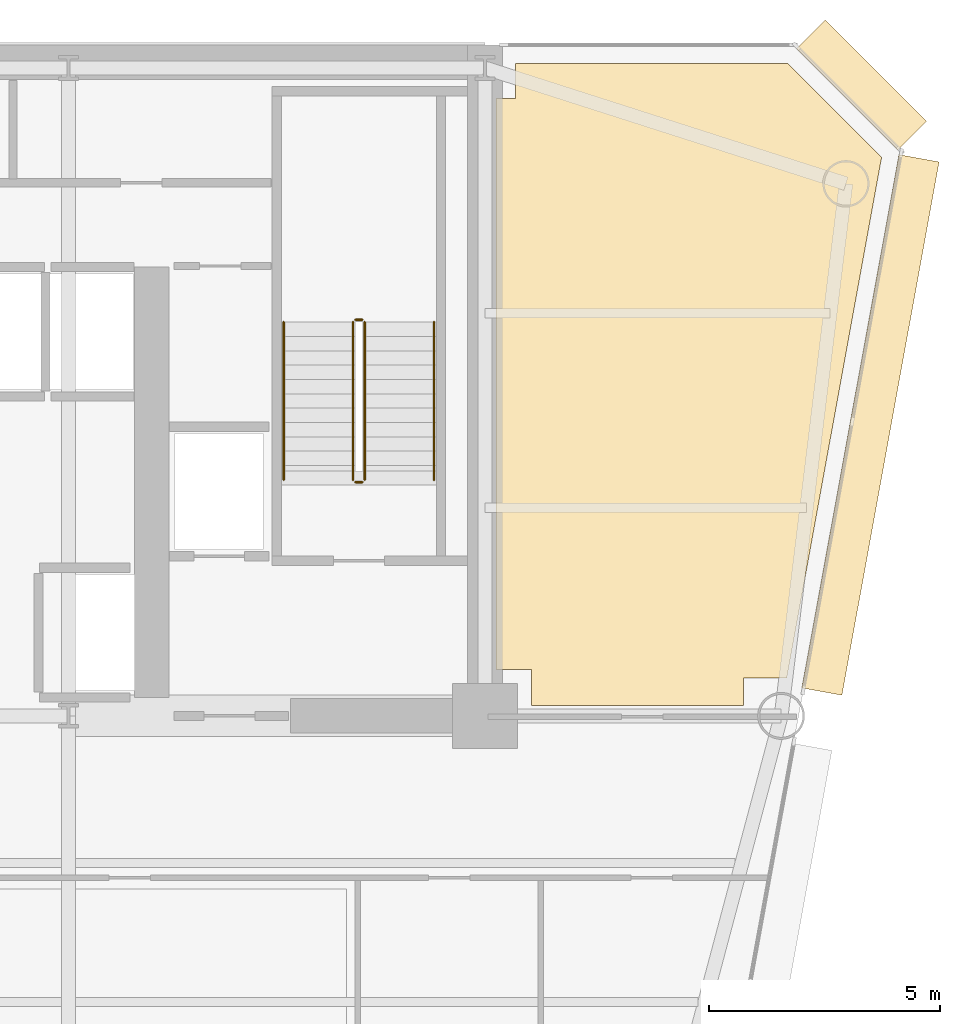
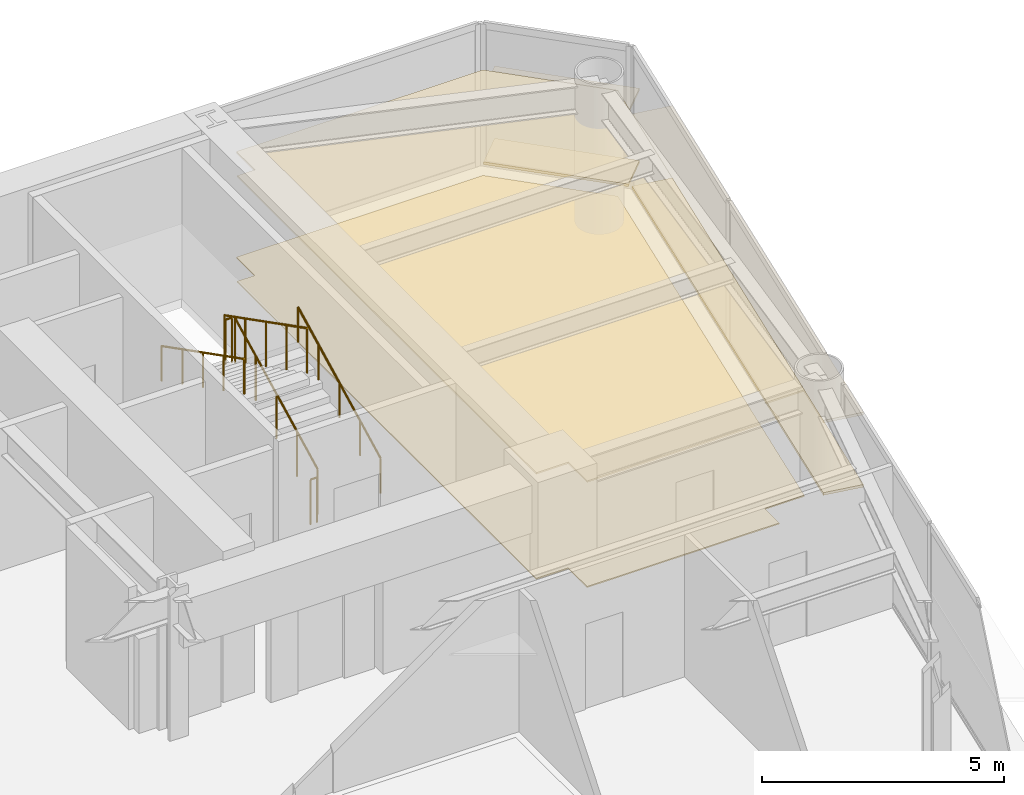
# One storey, part 14 of 14: 6 coverings, 6 railings.
"""IFC4 building model written with IfcOpenShell, lengths in metres."""

from ifc_helpers import new_model, si_unit, direction, frame, origin, origin_2d, place, context, subcontext, project, spatial, polyline, rectangle, circle, outline, extrude, source, transform, mapped, material, layer, layer_set, type_object, element, save


model = new_model("IFC4")

# Units and contexts
model_context = context("Model", 3, precision=1e-05, world=origin(), true_north=direction((0.0, 1.0)))
body_context = subcontext(model_context, "Body", "Model", "MODEL_VIEW")
ifc_project = project(units=[si_unit("LENGTHUNIT", "METRE"), si_unit("AREAUNIT", "SQUARE_METRE"), si_unit("VOLUMEUNIT", "CUBIC_METRE"), si_unit("PLANEANGLEUNIT", "RADIAN"), si_unit("MASSUNIT", "GRAM", prefix="KILO")], contexts=[model_context])

# Site, building, storey
site_placement = place(None, origin())
site = spatial("IfcSite", under=ifc_project, at=site_placement, CompositionType="ELEMENT")
building_placement = place(site_placement, origin())
building = spatial("IfcBuilding", under=site, at=building_placement, Name="Vaeldorn Concourse Tower", CompositionType="ELEMENT")
storey_placement = place(building_placement, frame((0.0, 0.0, 111.0)))
storey = spatial("IfcBuildingStorey", under=building, at=storey_placement, Name="L28", CompositionType="ELEMENT", Elevation=111.0)

# Coverings
ifc_material_1 = material(Name="Acoustic Mineral Fibre Board", Category="gypsum")
ifc_layer_1 = layer(ifc_material_1, 0.0400390625)
ifc_layer_set_1 = layer_set([ifc_layer_1], Name="Acoustic Mineral Fibre Board")
covering_type_1 = type_object("IfcCoveringType", Name="COV-CEIL-ACOUSTIC", PredefinedType="CEILING", material=ifc_layer_set_1)
covering_1_placement = place(storey_placement, frame((0.0, 0.0, 2.64990234375)))
element("IfcCovering", 1, at=covering_1_placement, inside=storey, type_object=covering_type_1, Name="Suspended Acoustic Ceiling L28-5", PredefinedType="CEILING", context=body_context, shape_type="SweptSolid", body=[
    extrude(outline(polyline([(54.659912109375, 49.840087890625), (54.659912109375, 50.60009765625), (60.5341796875, 50.60009765625), (62.56884765625, 48.5654296875), (60.5205078125, 37.320068359375), (59.580078125, 37.320068359375), (59.580078125, 36.719970703125), (55.0, 36.719970703125), (55.0, 37.5), (54.239990234375, 37.5), (54.239990234375, 49.840087890625), (54.659912109375, 49.840087890625)])), origin(), (0.0, 0.0, 1.0), 0.0400390625),
])
ifc_material_2 = material(Name="Honed Limestone Terrazzo Flooring", Category="masonry")
ifc_layer_2 = layer(ifc_material_2, 0.0400390625)
ifc_layer_set_2 = layer_set([ifc_layer_2], Name="Honed Limestone Terrazzo Flooring")
covering_type_2 = type_object("IfcCoveringType", Name="COV-FLOOR-STONE", PredefinedType="FLOORING", material=ifc_layer_set_2)
covering_2_placement = place(storey_placement, origin())
element("IfcCovering", 2, at=covering_2_placement, inside=storey, type_object=covering_type_2, Name="Floor Finish Covering L28-5", PredefinedType="FLOORING", context=body_context, shape_type="SweptSolid", body=[
    extrude(outline(polyline([(54.659912109375, 49.840087890625), (54.659912109375, 50.60009765625), (60.5341796875, 50.60009765625), (62.56884765625, 48.5654296875), (60.5205078125, 37.320068359375), (59.580078125, 37.320068359375), (59.580078125, 36.719970703125), (55.0, 36.719970703125), (55.0, 37.5), (54.239990234375, 37.5), (54.239990234375, 49.840087890625), (54.659912109375, 49.840087890625)])), origin(), (0.0, 0.0, 1.0), 0.030029296875),
])

# Railings
ifc_material_3 = material(Name="Anodised Bronze Aluminium", Category="aluminium")
railing_type_1 = type_object("IfcRailingType", Name="RL-STAIR-GUARD", PredefinedType="GUARDRAIL", material=ifc_material_3)
railing_1_placement = place(storey_placement, frame((51.39990234375, 41.60009765625, 0.158447265625)))
element("IfcRailing", 3, at=railing_1_placement, inside=storey, type_object=railing_type_1, Name="L28 ST-2 stair guard 1", PredefinedType="GUARDRAIL", context=body_context, shape_type="SweptSolid", body=[
    extrude(circle(Radius=0.02392578125, at=origin_2d()), frame((0.0, 0.0, 1.1259765625), z_axis=(0.0, 0.890581635807, 0.454823427236), x_axis=(-1.0, 0.0, 0.0)), (0.0, 0.0, 1.0), 3.828857421875),
    extrude(circle(Radius=0.02099609375, at=origin_2d()), origin(), (0.0, 0.0, 1.0), 1.101806640625),
    extrude(circle(Radius=0.02099609375, at=origin_2d()), frame((0.0, 0.8525390625, 0.435302734375)), (0.0, 0.0, 1.0), 1.101806640625),
    extrude(circle(Radius=0.02099609375, at=origin_2d()), frame((0.0, 1.705078125, 0.87060546875)), (0.0, 0.0, 1.0), 1.101806640625),
    extrude(circle(Radius=0.02099609375, at=origin_2d()), frame((0.0, 2.557373046875, 1.30615234375)), (0.0, 0.0, 1.0), 1.101806640625),
    extrude(circle(Radius=0.02099609375, at=origin_2d()), frame((0.0, 3.409912109375, 1.741455078125)), (0.0, 0.0, 1.0), 1.101806640625),
])
railing_2_placement = place(storey_placement, frame((51.35009765625, 45.06005859375, 1.89990234375)))
element("IfcRailing", 4, at=railing_2_placement, inside=storey, type_object=railing_type_1, Name="L28 ST-2 stair guard 2", PredefinedType="GUARDRAIL", context=body_context, shape_type="SweptSolid", body=[
    extrude(circle(Radius=0.02392578125, at=origin_2d()), frame((0.0, 0.0, 1.1259765625), z_axis=(-1.0, 0.0, 0.0), x_axis=(0.0, -1.0, 0.0)), (0.0, 0.0, 1.0), 0.150146484375),
    extrude(circle(Radius=0.02099609375, at=origin_2d()), origin(), (0.0, 0.0, 1.0), 1.101806640625),
    extrude(circle(Radius=0.02099609375, at=origin_2d()), frame((-0.150146484375, 0.0, 0.0)), (0.0, 0.0, 1.0), 1.101806640625),
])
railing_3_placement = place(storey_placement, frame((51.14990234375, 45.010009765625, 2.058349609375)))
element("IfcRailing", 5, at=railing_3_placement, inside=storey, type_object=railing_type_1, Name="L28 ST-2 stair guard 3", PredefinedType="GUARDRAIL", context=body_context, shape_type="SweptSolid", body=[
    extrude(circle(Radius=0.02392578125, at=origin_2d()), frame((0.0, 0.0, 1.1259765625), z_axis=(0.0, -0.890555807335, 0.454873997962), x_axis=(1.0, 0.0, 0.0)), (0.0, 0.0, 1.0), 3.828857421875),
    extrude(circle(Radius=0.02099609375, at=origin_2d()), origin(), (0.0, 0.0, 1.0), 1.101806640625),
    extrude(circle(Radius=0.02099609375, at=origin_2d()), frame((0.0, -0.8525390625, 0.435546875)), (0.0, 0.0, 1.0), 1.101806640625),
    extrude(circle(Radius=0.02099609375, at=origin_2d()), frame((0.0, -1.705078125, 0.870849609375)), (0.0, 0.0, 1.0), 1.101806640625),
    extrude(circle(Radius=0.02099609375, at=origin_2d()), frame((0.0, -2.557373046875, 1.30615234375)), (0.0, 0.0, 1.0), 1.101806640625),
    extrude(circle(Radius=0.02099609375, at=origin_2d()), frame((0.0, -3.409912109375, 1.74169921875)), (0.0, 0.0, 1.0), 1.101806640625),
])
railing_4_placement = place(storey_placement, frame((51.35009765625, 41.550048828125, 0.0)))
element("IfcRailing", 6, at=railing_4_placement, inside=storey, type_object=railing_type_1, Name="L28 ST-2 stair guard 4", PredefinedType="GUARDRAIL", context=body_context, shape_type="SweptSolid", body=[
    extrude(circle(Radius=0.02392578125, at=origin_2d()), frame((0.0, 0.0, 1.1259765625), z_axis=(-1.0, 0.0, 0.0), x_axis=(0.0, -1.0, 0.0)), (0.0, 0.0, 1.0), 0.150146484375),
    extrude(circle(Radius=0.02099609375, at=origin_2d()), origin(), (0.0, 0.0, 1.0), 1.101806640625),
    extrude(circle(Radius=0.02099609375, at=origin_2d()), frame((-0.150146484375, 0.0, 0.0)), (0.0, 0.0, 1.0), 1.101806640625),
])
railing_type_2 = type_object("IfcRailingType", Name="RL-STAIR-HANDRAIL", PredefinedType="HANDRAIL", material=ifc_material_3)
railing_5_placement = place(storey_placement, frame((52.89990234375, 41.60009765625, 0.158447265625)))
element("IfcRailing", 7, at=railing_5_placement, inside=storey, type_object=railing_type_2, Name="L28 ST-2 stair handrail 1", PredefinedType="HANDRAIL", context=body_context, shape_type="SweptSolid", body=[
    extrude(circle(Radius=0.02392578125, at=origin_2d()), frame((0.0, 0.0, 0.8759765625), z_axis=(0.0, 0.890581635807, 0.454823427236), x_axis=(-1.0, 0.0, 0.0)), (0.0, 0.0, 1.0), 3.828857421875),
    extrude(circle(Radius=0.02099609375, at=origin_2d()), origin(), (0.0, 0.0, 1.0), 0.851806640625),
    extrude(circle(Radius=0.02099609375, at=origin_2d()), frame((0.0, 0.8525390625, 0.435302734375)), (0.0, 0.0, 1.0), 0.851806640625),
    extrude(circle(Radius=0.02099609375, at=origin_2d()), frame((0.0, 1.705078125, 0.87060546875)), (0.0, 0.0, 1.0), 0.851806640625),
    extrude(circle(Radius=0.02099609375, at=origin_2d()), frame((0.0, 2.557373046875, 1.30615234375)), (0.0, 0.0, 1.0), 0.851806640625),
    extrude(circle(Radius=0.02099609375, at=origin_2d()), frame((0.0, 3.409912109375, 1.741455078125)), (0.0, 0.0, 1.0), 0.851806640625),
])
railing_6_placement = place(storey_placement, frame((49.64990234375, 45.010009765625, 2.058349609375)))
element("IfcRailing", 8, at=railing_6_placement, inside=storey, type_object=railing_type_2, Name="L28 ST-2 stair handrail 2", PredefinedType="HANDRAIL", context=body_context, shape_type="SweptSolid", body=[
    extrude(circle(Radius=0.02392578125, at=origin_2d()), frame((0.0, 0.0, 0.8759765625), z_axis=(0.0, -0.890555807335, 0.454873997962), x_axis=(1.0, 0.0, 0.0)), (0.0, 0.0, 1.0), 3.828857421875),
    extrude(circle(Radius=0.02099609375, at=origin_2d()), origin(), (0.0, 0.0, 1.0), 0.851806640625),
    extrude(circle(Radius=0.02099609375, at=origin_2d()), frame((0.0, -0.8525390625, 0.435546875)), (0.0, 0.0, 1.0), 0.851806640625),
    extrude(circle(Radius=0.02099609375, at=origin_2d()), frame((0.0, -1.705078125, 0.870849609375)), (0.0, 0.0, 1.0), 0.851806640625),
    extrude(circle(Radius=0.02099609375, at=origin_2d()), frame((0.0, -2.557373046875, 1.30615234375)), (0.0, 0.0, 1.0), 0.851806640625),
    extrude(circle(Radius=0.02099609375, at=origin_2d()), frame((0.0, -3.409912109375, 1.74169921875)), (0.0, 0.0, 1.0), 0.851806640625),
])

# Coverings
ifc_layer_3 = layer(ifc_material_3, 0.06494140625)
ifc_layer_set_3 = layer_set([ifc_layer_3], Name="Anodised Bronze Aluminium")
covering_type_3 = type_object("IfcCoveringType", Name="SD-BRONZE-SUNSHADE", PredefinedType="USERDEFINED", material=ifc_layer_set_3)
shared_shape_1 = source(origin(), body_context, "Body", "SweptSolid", [
    extrude(rectangle(XDim=3.0927734375, YDim=0.8798828125, at=origin_2d()), origin(), (0.0, 0.0, 1.0), 0.06494140625),
])
for number, where, z_axis, x_axis, name in (
    (9, (62.1328125, 50.1328125, 0.047607421875), (0.0, 0.0, 1.0), (-0.707106781187, 0.707106781187, 0.0), "Horizontal Bronze Sunshade L28-E08.1.1"),
    (10, (62.1328125, 50.1328125, 1.867431640625), (0.0, 0.0, 1.0), (-0.707106781187, 0.707106781187, 0.0), "Horizontal Bronze Sunshade L28-E08.1.2"),
):
    element("IfcCovering", number, at=place(storey_placement, frame(where, z_axis=z_axis, x_axis=x_axis)), inside=storey, type_object=covering_type_3, Name=name, ObjectType="SUNSHADE", PredefinedType="USERDEFINED", context=body_context, shape_type="MappedRepresentation", body=[
        mapped(shared_shape_1, transform((0.0, 0.0, 0.0), scale=1.0)),
    ])
shared_shape_2 = source(origin(), body_context, "Body", "SweptSolid", [
    extrude(rectangle(XDim=11.714111328125, YDim=0.8798828125, at=origin_2d()), origin(), (0.0, 0.0, 1.0), 0.06494140625),
])
for number, where, z_axis, x_axis, name in (
    (11, (62.32958984375, 42.787353515625, 0.047607421875), (0.0, 0.0, 1.0), (0.179197157467, 0.983813182853, 0.0), "Horizontal Bronze Sunshade L28-E07.2.1"),
    (12, (62.32958984375, 42.787353515625, 1.867431640625), (0.0, 0.0, 1.0), (0.179197157467, 0.983813182853, 0.0), "Horizontal Bronze Sunshade L28-E07.2.2"),
):
    element("IfcCovering", number, at=place(storey_placement, frame(where, z_axis=z_axis, x_axis=x_axis)), inside=storey, type_object=covering_type_3, Name=name, ObjectType="SUNSHADE", PredefinedType="USERDEFINED", context=body_context, shape_type="MappedRepresentation", body=[
        mapped(shared_shape_2, transform((0.0, 0.0, 0.0), scale=1.0)),
    ])

save(model, "model.ifc")
